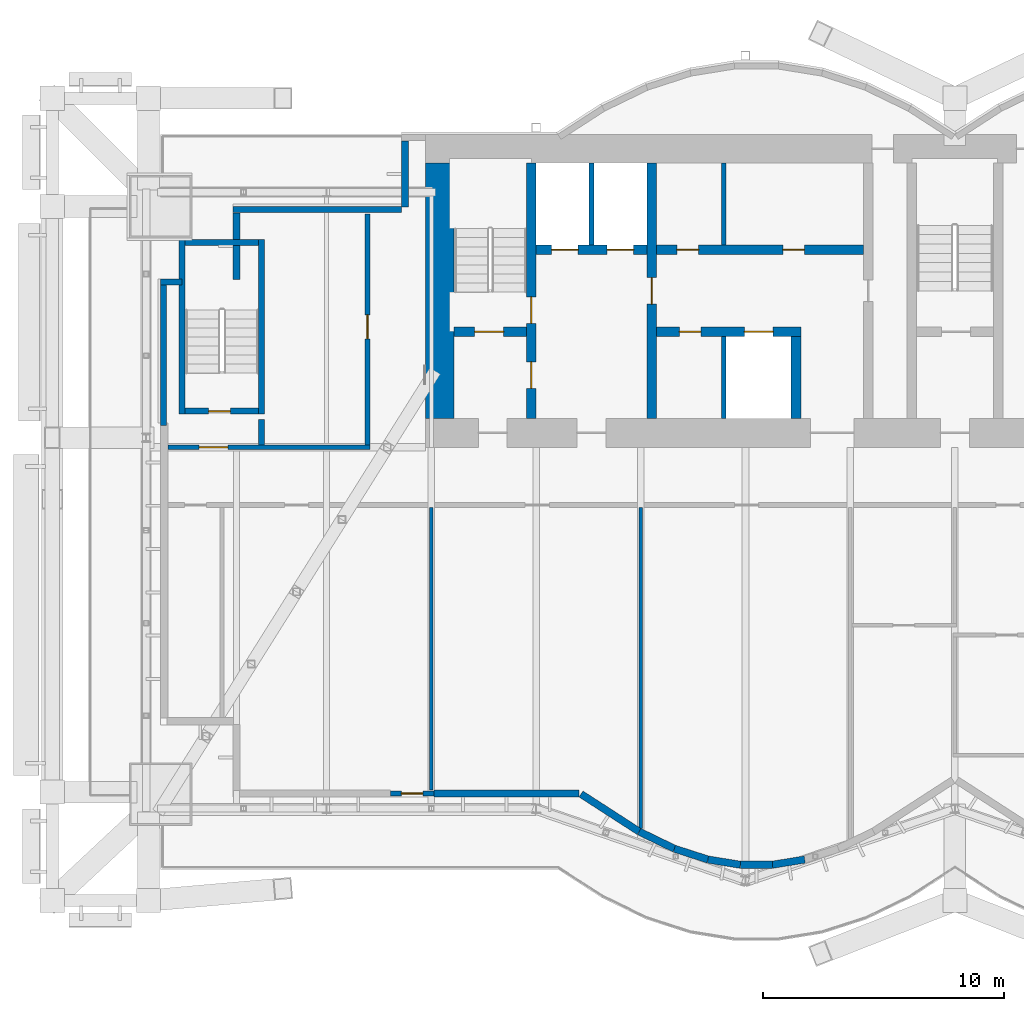
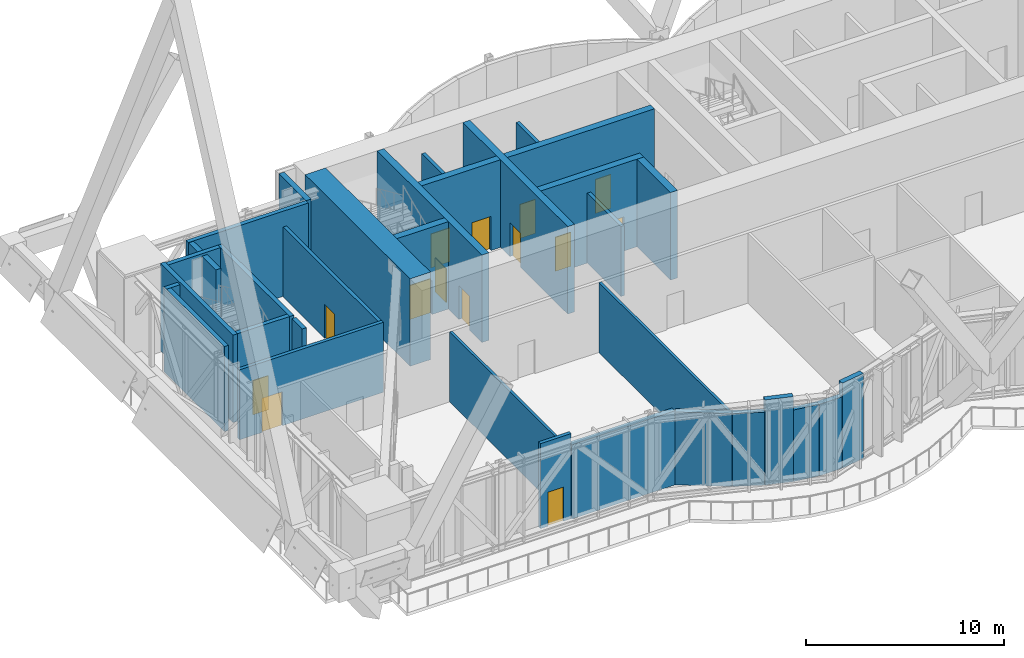
# One storey, part 23 of 31: 32 walls, 14 doors, 14 openings.
"""IFC4 building model written with IfcOpenShell, lengths in metres."""

import ifcopenshell
import ifcopenshell.guid

model = None  # the IFC model being written
_history = None  # IfcOwnerHistory: only IFC2X3 demands one
_inside = {}  # id of a spatial element -> (the spatial element, [elements in it])
_under = {}  # id of a project, library or spatial element -> (it, [spatial elements below it])
_declared = {}  # id of a project -> (the project, [libraries it declares])
_typed = {}  # id of a type object -> (the type object, [elements of that type])
_made_of = {}  # id of a material, layer set ... -> (it, [elements and type objects made of it])


def new_model(schema):
    """Start an empty IFC model of exactly this schema.

    Asked for "IFC4X3", IfcOpenShell would pick the latest addendum, in which some entities
    have other attributes; the version numbers below select the first issue.
    IFC2X3 requires an IfcOwnerHistory on every rooted entity: one is made here for all.
    """
    global model, _history
    if schema == "IFC4X3":
        model = ifcopenshell.file(schema_version=(4, 3, 0, 0))
    else:
        model = ifcopenshell.file(schema=schema)
    _inside.clear()
    _under.clear()
    _declared.clear()
    _typed.clear()
    _made_of.clear()
    _history = None
    if model.schema == "IFC2X3":
        org = make("IfcOrganization", Name="unknown")
        user = make(
            "IfcPersonAndOrganization",
            ThePerson=make("IfcPerson", FamilyName="unknown"),
            TheOrganization=org,
        )
        app = make(
            "IfcApplication",
            ApplicationDeveloper=org,
            Version="unknown",
            ApplicationFullName="unknown",
            ApplicationIdentifier="unknown",
        )
        _history = make(
            "IfcOwnerHistory",
            OwningUser=user,
            OwningApplication=app,
            ChangeAction="ADDED",
            CreationDate=0,
        )
    return model


def make(cls, **values):
    """One entity of the class cls with the attributes given. An attribute that is None is left unset."""
    return model.create_entity(
        cls, **{name: value for name, value in values.items() if value is not None}
    )


def rooted(cls, **values):
    """An entity with a GlobalId (a new one), such as an element, a storey or a relation."""
    return make(cls, GlobalId=ifcopenshell.guid.new(), OwnerHistory=_history, **values)


def si_unit(unit_type, name, prefix=None):
    """IfcSIUnit, for example si_unit("LENGTHUNIT", "METRE", prefix="MILLI")."""
    return make("IfcSIUnit", UnitType=unit_type, Prefix=prefix, Name=name)


def assignment(units):
    """IfcUnitAssignment: the units of a project."""
    return None if units is None else make("IfcUnitAssignment", Units=units)


def point(xyz):
    """IfcCartesianPoint."""
    return None if xyz is None else make("IfcCartesianPoint", Coordinates=xyz)


def direction(xyz):
    """IfcDirection."""
    return None if xyz is None else make("IfcDirection", DirectionRatios=xyz)


def frame(location, z_axis=None, x_axis=None):
    """IfcAxis2Placement3D, a coordinate frame: its origin and axes. An axis left out is left unset."""
    return make(
        "IfcAxis2Placement3D",
        Location=point(location),
        Axis=direction(z_axis),
        RefDirection=direction(x_axis),
    )


def frame_2d(location, x_axis=None):
    """IfcAxis2Placement2D, a coordinate frame in the plane: its origin and x axis."""
    return make(
        "IfcAxis2Placement2D", Location=point(location), RefDirection=direction(x_axis)
    )


def origin():
    """The frame at (0, 0, 0) with its axes left unset."""
    return frame((0.0, 0.0, 0.0))


def place(relative_to, where):
    """IfcLocalPlacement: puts the frame where relative to a parent placement (None: the world)."""
    return make(
        "IfcLocalPlacement", PlacementRelTo=relative_to, RelativePlacement=where
    )


def context(
    kind, dimensions, precision=None, world=None, true_north=None, identifier=None
):
    """IfcGeometricRepresentationContext, for example the 3D "Model" context."""
    return make(
        "IfcGeometricRepresentationContext",
        ContextIdentifier=identifier,
        ContextType=kind,
        CoordinateSpaceDimension=dimensions,
        Precision=precision,
        WorldCoordinateSystem=world,
        TrueNorth=true_north,
    )


def subcontext(parent, identifier, kind, view, scale=None):
    """IfcGeometricRepresentationSubContext, for example "Body" below "Model"."""
    return make(
        "IfcGeometricRepresentationSubContext",
        ContextIdentifier=identifier,
        ContextType=kind,
        ParentContext=parent,
        TargetScale=scale,
        TargetView=view,
    )


def project(units=None, contexts=None):
    """IfcProject with its units and contexts."""
    return rooted(
        "IfcProject",
        Name="project",
        RepresentationContexts=contexts,
        UnitsInContext=assignment(units),
    )


def spatial(cls, under=None, at=None, **own):
    """A site, building, storey or space (cls), placed at a placement, below another one or the project."""
    s = rooted(cls, ObjectPlacement=at, **own)
    if under is not None:
        _under.setdefault(under.id(), (under, []))[1].append(s)
    return s


def profile(cls, at=None, kind="AREA", **sizes):
    """A parametric profile (cls). Its sizes go by their IFC names, for example OverallWidth=200.0."""
    return make(cls, ProfileType=kind, Position=at, **sizes)


def rectangle(**sizes):
    """IfcRectangleProfileDef."""
    return profile("IfcRectangleProfileDef", **sizes)


def extrude(swept, where, along, depth):
    """IfcExtrudedAreaSolid: the profile swept, set in the frame where, extruded along a direction by depth."""
    return make(
        "IfcExtrudedAreaSolid",
        SweptArea=swept,
        Position=where,
        ExtrudedDirection=direction(along),
        Depth=depth,
    )


def shape(context_of_items, identifier, shape_type, items):
    """IfcShapeRepresentation: the items that make up one representation, for example the "Body"."""
    return make(
        "IfcShapeRepresentation",
        ContextOfItems=context_of_items,
        RepresentationIdentifier=identifier,
        RepresentationType=shape_type,
        Items=items,
    )


def material(Name=None, Category=None):
    """IfcMaterial."""
    return make("IfcMaterial", Name=Name, Category=Category)


def layer(
    of_material, thickness, ventilated=None, Name=None, Category=None, Priority=None
):
    """IfcMaterialLayer: one layer of a wall or slab, of a material (None: an air gap)."""
    return make(
        "IfcMaterialLayer",
        Material=of_material,
        LayerThickness=thickness,
        IsVentilated=ventilated,
        Name=Name,
        Category=Category,
        Priority=Priority,
    )


def layer_set(layers, Name=None):
    """IfcMaterialLayerSet."""
    return make("IfcMaterialLayerSet", MaterialLayers=layers, LayerSetName=Name)


def layer_usage(for_layer_set, set_direction, sense, offset, extent=None):
    """IfcMaterialLayerSetUsage: how a layer set lies in its element."""
    return make(
        "IfcMaterialLayerSetUsage",
        ForLayerSet=for_layer_set,
        LayerSetDirection=set_direction,
        DirectionSense=sense,
        OffsetFromReferenceLine=offset,
        ReferenceExtent=extent,
    )


def made_of(thing, what):
    """Note that an element or type object is made of a material, layer set ...; save() writes the relation."""
    if what is not None:
        _made_of.setdefault(what.id(), (what, []))[1].append(thing)
    return thing


def type_object(cls, material=None, **own):
    """A type object (cls), such as IfcWallType, which elements share."""
    return made_of(rooted(cls, **own), material)


def element(
    cls,
    number,
    at=None,
    inside=None,
    cuts=None,
    type_object=None,
    material=None,
    context=None,
    identifier="Body",
    shape_type=None,
    held_by="IfcProductDefinitionShape",
    body=None,
    shapes=None,
    **own,
):
    """One element of the class cls, such as IfcWall. Its Tag is "e" and its number.

    at: its placement. inside: the storey or other place that contains it. cuts: it is an
    opening in that element (IfcRelVoidsElement). A single representation is given by context,
    identifier, shape_type and body (its items); several are given by shapes. held_by: the class
    of the entity that holds the representations. save() writes the other relations.
    """
    e = rooted(cls, Tag="e%d" % number, ObjectPlacement=at, **own)
    if body is not None:
        shapes = [shape(context, identifier, shape_type, body)]
    if shapes is not None:
        e.Representation = make(held_by, Representations=shapes)
    if inside is not None:
        _inside.setdefault(inside.id(), (inside, []))[1].append(e)
    if cuts is not None:
        rooted(
            "IfcRelVoidsElement", RelatingBuildingElement=cuts, RelatedOpeningElement=e
        )
    if type_object is not None:
        _typed.setdefault(type_object.id(), (type_object, []))[1].append(e)
    return made_of(e, material)


def fill(opening, filler):
    """IfcRelFillsElement: the door or window that sits in an opening."""
    return rooted(
        "IfcRelFillsElement",
        RelatingOpeningElement=opening,
        RelatedBuildingElement=filler,
    )


def aggregate(whole, parts):
    """IfcRelAggregates: a whole, such as a stair, and the parts it consists of."""
    return rooted("IfcRelAggregates", RelatingObject=whole, RelatedObjects=parts)


def save(model, path):
    """Write the relations noted so far, then the file.

    IfcRelAggregates (storeys below a building ...), IfcRelContainedInSpatialStructure (elements
    in a storey), IfcRelDefinesByType, IfcRelAssociatesMaterial and IfcRelDeclares: one each for
    every whole, place, type object, material and project.
    """
    for whole, parts in _under.values():
        aggregate(whole, parts)
    for where, things in _inside.values():
        rooted(
            "IfcRelContainedInSpatialStructure",
            RelatedElements=things,
            RelatingStructure=where,
        )
    for kind, things in _typed.values():
        rooted("IfcRelDefinesByType", RelatedObjects=things, RelatingType=kind)
    for what, things in _made_of.values():
        rooted("IfcRelAssociatesMaterial", RelatedObjects=things, RelatingMaterial=what)
    for by, libraries in _declared.values():
        rooted("IfcRelDeclares", RelatingContext=by, RelatedDefinitions=libraries)
    model.write(path)


model = new_model("IFC4")

# Units and contexts
model_context = context("Model", 3, precision=1e-05, world=origin(), true_north=direction((0.0, 1.0)))
body_context = subcontext(model_context, "Body", "Model", "MODEL_VIEW")
ifc_project = project(units=[si_unit("LENGTHUNIT", "METRE"), si_unit("AREAUNIT", "SQUARE_METRE"), si_unit("VOLUMEUNIT", "CUBIC_METRE"), si_unit("PLANEANGLEUNIT", "RADIAN"), si_unit("MASSUNIT", "GRAM", prefix="KILO")], contexts=[model_context])

# Site, building, storey
site_placement = place(None, origin())
site = spatial("IfcSite", under=ifc_project, at=site_placement, CompositionType="ELEMENT")
building_placement = place(site_placement, origin())
building = spatial("IfcBuilding", under=site, at=building_placement, Name="Bicima Exchange Tower", CompositionType="ELEMENT")
storey_placement = place(building_placement, frame((0.0, 0.0, 236.0)))
storey = spatial("IfcBuildingStorey", under=building, at=storey_placement, Name="L53", CompositionType="ELEMENT", Elevation=236.0)

# Wall, opening, door
ifc_material_1 = material(Name="Concrete C40/50", Category="concrete")
ifc_layer_1 = layer(ifc_material_1, 0.2)
ifc_layer_set_1 = layer_set([ifc_layer_1], Name="Concrete C40/50")
ifc_layer_usage_1 = layer_usage(ifc_layer_set_1, "AXIS2", "POSITIVE", -0.1)
wall_type_1 = type_object("IfcWallType", Name="Entrance frame wall 200", PredefinedType="STANDARD", material=ifc_layer_set_1)
wall_1_placement = place(storey_placement, frame((-21.64990234375, -27.382080078125, 0.0), z_axis=(0.0, 0.0, 1.0), x_axis=(-1.0, 0.0, 0.0)))
wall_1 = element("IfcWall", 1, at=wall_1_placement, inside=storey, type_object=wall_type_1, material=ifc_layer_usage_1, Name="Band door frame wall L53", PredefinedType="STANDARD", context=body_context, shape_type="SweptSolid", body=[
    extrude(rectangle(XDim=1.800048828125, YDim=0.199951171875, at=frame_2d((0.89990234375, 0.0))), origin(), (0.0, 0.0, 1.0), 5.25),
])
opening_1_placement = place(wall_1_placement, frame((0.449951171875, 0.0, 0.0)))
opening_1 = element("IfcOpeningElement", 2, at=opening_1_placement, cuts=wall_1, Name="Opening DX5", PredefinedType="OPENING", context=body_context, shape_type="SweptSolid", body=[
    extrude(rectangle(XDim=0.89990234375, YDim=2.10009765625, at=frame_2d((0.449951171875, 1.050048828125))), frame((0.0, 0.11181640625, 0.0), z_axis=(0.0, -1.0, 0.0), x_axis=(1.0, 0.0, 0.0)), (0.0, 0.0, 1.0), 0.223876953125),
])
ifc_material_2 = material(Name="Anodised bronze aluminium and bonded safety glass", Category="aluminium")
door_type_1 = type_object("IfcDoorType", Name="Band terrace door, single leaf 900 x 2100", OperationType="SINGLE_SWING_LEFT", PredefinedType="DOOR", material=ifc_material_2)
door_1_placement = place(opening_1_placement, origin())
door_1 = element("IfcDoor", 3, at=door_1_placement, inside=storey, type_object=door_type_1, Name="Band door door L53", OperationType="SINGLE_SWING_LEFT", OverallHeight=2.10009765625, OverallWidth=0.89990234375, PredefinedType="DOOR", context=body_context, shape_type="SweptSolid", body=[
    extrude(rectangle(XDim=0.89990234375, YDim=2.10009765625, at=frame_2d((0.449951171875, 1.050048828125))), frame((0.0, 0.02490234375, 0.0), z_axis=(0.0, -1.0, 0.0), x_axis=(1.0, 0.0, 0.0)), (0.0, 0.0, 1.0), 0.050048828125),
])
fill(opening_1, door_1)

# Walls
ifc_material_3 = material(Name="Gypsum board partition")
ifc_layer_2 = layer(ifc_material_3, 0.199951171875)
ifc_layer_set_2 = layer_set([ifc_layer_2], Name="Gypsum board partition")
wall_type_2 = type_object("IfcWallType", Name="Fire-rated gypsum partition 200 EI120", PredefinedType="PARTITIONING", material=ifc_layer_set_2)
for number, where, z_axis, x_axis, name in (
    (4, (-15.10009765625, -4.60009765625, 0.0), (0.0, 0.0, 1.0), (0.0, 1.0, 0.0), "partition wall 9"),
    (5, (-9.60009765625, -11.800048828125, 0.0), (0.0, 0.0, 1.0), (0.0, 1.0, 0.0), "partition wall 11"),
):
    element("IfcWall", number, at=place(storey_placement, frame(where, z_axis=z_axis, x_axis=x_axis)), inside=storey, type_object=wall_type_2, Name=name, PredefinedType="PARTITIONING", context=body_context, shape_type="SweptSolid", body=[
        extrude(rectangle(XDim=3.400146484375, YDim=0.199951171875, at=frame_2d((1.7001953125, 0.0))), origin(), (0.0, 0.0, 1.0), 4.318115234375),
    ])

# Wall, opening, door
ifc_layer_3 = layer(ifc_material_3, 0.199951171875)
ifc_layer_set_3 = layer_set([ifc_layer_3], Name="Gypsum board partition")
wall_type_3 = type_object("IfcWallType", Name="Fire-rated gypsum partition 200 EI60", PredefinedType="PARTITIONING", material=ifc_layer_set_3)
wall_2_placement = place(storey_placement, frame((-32.699951171875, -13.0, 0.0), z_axis=(0.0, 0.0, 1.0), x_axis=(1.0, 0.0, 0.0)))
wall_2 = element("IfcWall", 6, at=wall_2_placement, inside=storey, type_object=wall_type_3, Name="partition wall 9", PredefinedType="PARTITIONING", context=body_context, shape_type="SweptSolid", body=[
    extrude(rectangle(XDim=8.39990234375, YDim=0.199951171875, at=frame_2d((4.199951171875, 0.0))), origin(), (0.0, 0.0, 1.0), 4.318115234375),
])
opening_2_placement = place(wall_2_placement, frame((1.300048828125, 0.0, 0.0)))
opening_2 = element("IfcOpeningElement", 7, at=opening_2_placement, cuts=wall_2, Name="Opening L53-001", PredefinedType="OPENING", context=body_context, shape_type="SweptSolid", body=[
    extrude(rectangle(XDim=1.199951171875, YDim=2.10009765625, at=frame_2d((0.60009765625, 1.050048828125))), frame((0.0, 0.11181640625, 0.0), z_axis=(0.0, -1.0, 0.0), x_axis=(1.0, 0.0, 0.0)), (0.0, 0.0, 1.0), 0.223876953125),
])
ifc_material_4 = material(Name="Steel fire door leaf", Category="steel")
door_type_2 = type_object("IfcDoorType", Name="Door 1200 swing FD30S", OperationType="SINGLE_SWING_LEFT", PredefinedType="DOOR", material=ifc_material_4)
door_2_placement = place(opening_2_placement, origin())
door_2 = element("IfcDoor", 8, at=door_2_placement, inside=storey, type_object=door_type_2, Name="Door", OperationType="SINGLE_SWING_LEFT", OverallHeight=2.10009765625, OverallWidth=1.199951171875, PredefinedType="DOOR", context=body_context, shape_type="SweptSolid", body=[
    extrude(rectangle(XDim=1.199951171875, YDim=2.10009765625, at=frame_2d((0.60009765625, 1.050048828125))), frame((0.0, 0.02490234375, 0.0), z_axis=(0.0, -1.0, 0.0), x_axis=(1.0, 0.0, 0.0)), (0.0, 0.0, 1.0), 0.050048828125),
])
fill(opening_2, door_2)

wall_3_placement = place(storey_placement, frame((-24.39990234375, -12.89990234375, 0.0), z_axis=(0.0, 0.0, 1.0), x_axis=(0.0, 1.0, 0.0)))
wall_3 = element("IfcWall", 9, at=wall_3_placement, inside=storey, type_object=wall_type_3, Name="partition wall 18", PredefinedType="PARTITIONING", context=body_context, shape_type="SweptSolid", body=[
    extrude(rectangle(XDim=9.599853515625, YDim=0.199951171875, at=frame_2d((4.7998046875, 0.0))), origin(), (0.0, 0.0, 1.0), 4.318115234375),
])
opening_3_placement = place(wall_3_placement, frame((4.39990234375, 0.0, 0.0)))
opening_3 = element("IfcOpeningElement", 10, at=opening_3_placement, cuts=wall_3, Name="Opening L53-005", PredefinedType="OPENING", context=body_context, shape_type="SweptSolid", body=[
    extrude(rectangle(XDim=1.0, YDim=2.10009765625, at=frame_2d((0.5, 1.050048828125))), frame((0.0, 0.11181640625, 0.0), z_axis=(0.0, -1.0, 0.0), x_axis=(1.0, 0.0, 0.0)), (0.0, 0.0, 1.0), 0.223876953125),
])
door_type_3 = type_object("IfcDoorType", Name="Door 1000 swing FD30S", OperationType="SINGLE_SWING_LEFT", PredefinedType="DOOR", material=ifc_material_4)
door_3_placement = place(opening_3_placement, origin())
door_3 = element("IfcDoor", 11, at=door_3_placement, inside=storey, type_object=door_type_3, Name="Door", OperationType="SINGLE_SWING_LEFT", OverallHeight=2.10009765625, OverallWidth=1.0, PredefinedType="DOOR", context=body_context, shape_type="SweptSolid", body=[
    extrude(rectangle(XDim=1.0, YDim=2.10009765625, at=frame_2d((0.5, 1.050048828125))), frame((0.0, 0.02490234375, 0.0), z_axis=(0.0, -1.0, 0.0), x_axis=(1.0, 0.0, 0.0)), (0.0, 0.0, 1.0), 0.050048828125),
])
fill(opening_3, door_3)

# Walls
wall_4_placement = place(storey_placement, frame((-9.60009765625, -4.60009765625, 0.0), z_axis=(0.0, 0.0, 1.0), x_axis=(0.0, 1.0, 0.0)))
element("IfcWall", 12, at=wall_4_placement, inside=storey, type_object=wall_type_3, Name="partition wall 12", PredefinedType="PARTITIONING", context=body_context, shape_type="SweptSolid", body=[
    extrude(rectangle(XDim=3.400146484375, YDim=0.199951171875, at=frame_2d((1.7001953125, 0.0))), origin(), (0.0, 0.0, 1.0), 4.318115234375),
])
ifc_layer_4 = layer(ifc_material_3, 0.14990234375)
ifc_layer_set_4 = layer_set([ifc_layer_4], Name="Gypsum board partition")
wall_type_4 = type_object("IfcWallType", Name="Gypsum partition 150", PredefinedType="PARTITIONING", material=ifc_layer_set_4)
wall_5_placement = place(storey_placement, frame((-21.75, -27.22998046875, 0.0), z_axis=(0.0, 0.0, 1.0), x_axis=(0.0, 1.0, 0.0)))
element("IfcWall", 13, at=wall_5_placement, inside=storey, type_object=wall_type_4, Name="partition wall 19", PredefinedType="PARTITIONING", context=body_context, shape_type="SweptSolid", body=[
    extrude(rectangle(XDim=11.72998046875, YDim=0.14990234375, at=frame_2d((5.864990234375, 0.0))), origin(), (0.0, 0.0, 1.0), 4.318115234375),
])
wall_6_placement = place(storey_placement, frame((-13.050048828125, -28.830078125, 0.0), z_axis=(0.0, 0.0, 1.0), x_axis=(0.0, 1.0, 0.0)))
element("IfcWall", 14, at=wall_6_placement, inside=storey, type_object=wall_type_4, Name="partition wall 20", PredefinedType="PARTITIONING", context=body_context, shape_type="SweptSolid", body=[
    extrude(rectangle(XDim=13.330078125, YDim=0.14990234375, at=frame_2d((6.6650390625, 0.0))), origin(), (0.0, 0.0, 1.0), 4.318115234375),
])
ifc_material_5 = material(Name="Concrete C50/60", Category="concrete")
ifc_layer_5 = layer(ifc_material_5, 1.199951171875)
ifc_layer_set_5 = layer_set([ifc_layer_5], Name="Concrete C50/60")
wall_type_5 = type_object("IfcWallType", Name="RC core wall 1200 C50/60", PredefinedType="SHEAR", material=ifc_layer_set_5)
wall_7_placement = place(storey_placement, frame((-21.39990234375, -11.800048828125, 0.0), z_axis=(0.0, 0.0, 1.0), x_axis=(0.0, 1.0, 0.0)))
element("IfcWall", 15, at=wall_7_placement, inside=storey, type_object=wall_type_5, Name="Core wall west", PredefinedType="SHEAR", context=body_context, shape_type="SweptSolid", body=[
    extrude(rectangle(XDim=10.60009765625, YDim=1.199951171875, at=frame_2d((5.300048828125, 0.0))), origin(), (0.0, 0.0, 1.0), 5.39990234375),
])
ifc_layer_6 = layer(ifc_material_5, 0.25)
ifc_layer_set_6 = layer_set([ifc_layer_6], Name="Concrete C50/60")
wall_type_6 = type_object("IfcWallType", Name="RC core wall 250 C50/60", PredefinedType="SHEAR", material=ifc_layer_set_6)
wall_8_placement = place(storey_placement, frame((-28.800048828125, -12.89990234375, 0.0), z_axis=(0.0, 0.0, 1.0), x_axis=(0.0, 1.0, 0.0)))
element("IfcWall", 16, at=wall_8_placement, inside=storey, type_object=wall_type_6, Name="stair wall 17", PredefinedType="SHEAR", context=body_context, shape_type="SweptSolid", body=[
    extrude(rectangle(XDim=1.0498046875, YDim=0.25, at=frame_2d((0.52490234375, 0.0))), origin(), (0.0, 0.0, 1.0), 5.39990234375),
])

# Wall, opening, door
ifc_layer_7 = layer(ifc_material_5, 0.39990234375)
ifc_layer_set_7 = layer_set([ifc_layer_7], Name="Concrete C50/60")
wall_type_7 = type_object("IfcWallType", Name="RC core wall 400 C50/60", PredefinedType="SHEAR", material=ifc_layer_set_7)
wall_9_placement = place(storey_placement, frame((-20.800048828125, -8.199951171875, 0.0), z_axis=(0.0, 0.0, 1.0), x_axis=(1.0, 0.0, 0.0)))
wall_9 = element("IfcWall", 17, at=wall_9_placement, inside=storey, type_object=wall_type_7, Name="stair wall 1", PredefinedType="SHEAR", context=body_context, shape_type="SweptSolid", body=[
    extrude(rectangle(XDim=3.0, YDim=0.39990234375, at=frame_2d((1.5, 0.0))), origin(), (0.0, 0.0, 1.0), 5.39990234375),
])
opening_4_placement = place(wall_9_placement, frame((0.85009765625, 0.0, 0.0)))
opening_4 = element("IfcOpeningElement", 18, at=opening_4_placement, cuts=wall_9, Name="Opening L53-C01", PredefinedType="OPENING", context=body_context, shape_type="SweptSolid", body=[
    extrude(rectangle(XDim=1.199951171875, YDim=2.10009765625, at=frame_2d((0.60009765625, 1.050048828125))), frame((0.0, 0.2119140625, 0.0), z_axis=(0.0, -1.0, 0.0), x_axis=(1.0, 0.0, 0.0)), (0.0, 0.0, 1.0), 0.423828125),
])
door_type_4 = type_object("IfcDoorType", Name="Door 1200 swing FD60S", OperationType="SINGLE_SWING_LEFT", PredefinedType="DOOR", material=ifc_material_4)
door_4_placement = place(opening_4_placement, origin())
door_4 = element("IfcDoor", 19, at=door_4_placement, inside=storey, type_object=door_type_4, Name="Core door", OperationType="SINGLE_SWING_LEFT", OverallHeight=2.10009765625, OverallWidth=1.199951171875, PredefinedType="DOOR", context=body_context, shape_type="SweptSolid", body=[
    extrude(rectangle(XDim=1.199951171875, YDim=2.10009765625, at=frame_2d((0.60009765625, 1.050048828125))), frame((0.0, 0.02490234375, 0.0), z_axis=(0.0, -1.0, 0.0), x_axis=(1.0, 0.0, 0.0)), (0.0, 0.0, 1.0), 0.050048828125),
])
fill(opening_4, door_4)

# Wall, openings, doors
wall_10_placement = place(storey_placement, frame((-12.39990234375, -8.199951171875, 0.0), z_axis=(0.0, 0.0, 1.0), x_axis=(1.0, 0.0, 0.0)))
wall_10 = element("IfcWall", 20, at=wall_10_placement, inside=storey, type_object=wall_type_7, Name="shear wall 2", PredefinedType="SHEAR", context=body_context, shape_type="SweptSolid", body=[
    extrude(rectangle(XDim=6.0, YDim=0.39990234375, at=frame_2d((3.0, 0.0))), origin(), (0.0, 0.0, 1.0), 5.39990234375),
])
opening_5_placement = place(wall_10_placement, frame((3.64990234375, 0.0, 0.0)))
opening_5 = element("IfcOpeningElement", 21, at=opening_5_placement, cuts=wall_10, Name="Opening LD-MB1-L53", PredefinedType="OPENING", context=body_context, shape_type="SweptSolid", body=[
    extrude(rectangle(XDim=1.199951171875, YDim=2.10009765625, at=frame_2d((0.60009765625, 1.050048828125))), frame((0.0, 0.2119140625, 0.0), z_axis=(0.0, -1.0, 0.0), x_axis=(1.0, 0.0, 0.0)), (0.0, 0.0, 1.0), 0.423828125),
])
opening_6_placement = place(wall_10_placement, frame((0.949951171875, 0.0, 0.0)))
opening_6 = element("IfcOpeningElement", 22, at=opening_6_placement, cuts=wall_10, Name="Opening L53-C14", PredefinedType="OPENING", context=body_context, shape_type="SweptSolid", body=[
    extrude(rectangle(XDim=0.89990234375, YDim=2.10009765625, at=frame_2d((0.449951171875, 1.050048828125))), frame((0.0, 0.2119140625, 0.0), z_axis=(0.0, -1.0, 0.0), x_axis=(1.0, 0.0, 0.0)), (0.0, 0.0, 1.0), 0.423828125),
])
door_type_5 = type_object("IfcDoorType", Name="Door 900 swing FD30S", OperationType="SINGLE_SWING_LEFT", PredefinedType="DOOR", material=ifc_material_4)
door_5_placement = place(opening_6_placement, frame((0.89990234375, 0.0, 0.0), z_axis=(0.0, 0.0, 1.0), x_axis=(-1.0, 0.0, 0.0)))
door_5 = element("IfcDoor", 23, at=door_5_placement, inside=storey, type_object=door_type_5, Name="Core door", OperationType="SINGLE_SWING_LEFT", OverallHeight=2.10009765625, OverallWidth=0.89990234375, PredefinedType="DOOR", context=body_context, shape_type="SweptSolid", body=[
    extrude(rectangle(XDim=0.89990234375, YDim=2.10009765625, at=frame_2d((0.449951171875, 1.050048828125))), frame((0.0, 0.02490234375, 0.0), z_axis=(0.0, -1.0, 0.0), x_axis=(1.0, 0.0, 0.0)), (0.0, 0.0, 1.0), 0.050048828125),
])
fill(opening_6, door_5)
ifc_material_6 = material(Name="Stainless steel", Category="steel")
door_type_6 = type_object("IfcDoorType", Name="Lift landing door 1200 sliding", OperationType="DOUBLE_DOOR_SLIDING", PredefinedType="DOOR", material=ifc_material_6)
door_6_placement = place(opening_5_placement, origin())
door_6 = element("IfcDoor", 24, at=door_6_placement, inside=storey, type_object=door_type_6, Name="Lift landing door MB1", OperationType="DOUBLE_DOOR_SLIDING", OverallHeight=2.10009765625, OverallWidth=1.199951171875, PredefinedType="DOOR", context=body_context, shape_type="SweptSolid", body=[
    extrude(rectangle(XDim=1.199951171875, YDim=2.10009765625, at=frame_2d((0.60009765625, 1.050048828125))), frame((0.0, 0.02490234375, 0.0), z_axis=(0.0, -1.0, 0.0), x_axis=(1.0, 0.0, 0.0)), (0.0, 0.0, 1.0), 0.050048828125),
])
fill(opening_5, door_6)

wall_11_placement = place(storey_placement, frame((-17.39990234375, -4.800048828125, 0.0), z_axis=(0.0, 0.0, 1.0), x_axis=(1.0, 0.0, 0.0)))
wall_11 = element("IfcWall", 25, at=wall_11_placement, inside=storey, type_object=wall_type_7, Name="shear wall 6", PredefinedType="SHEAR", context=body_context, shape_type="SweptSolid", body=[
    extrude(rectangle(XDim=13.599853515625, YDim=0.39990234375, at=frame_2d((6.7998046875, 0.0))), origin(), (0.0, 0.0, 1.0), 5.39990234375),
])
opening_7_placement = place(wall_11_placement, frame((0.64990234375, 0.0, 0.0)))
opening_7 = element("IfcOpeningElement", 26, at=opening_7_placement, cuts=wall_11, Name="Opening LD-FF1-L53", PredefinedType="OPENING", context=body_context, shape_type="SweptSolid", body=[
    extrude(rectangle(XDim=1.10009765625, YDim=2.10009765625, at=frame_2d((0.550048828125, 1.050048828125))), frame((0.0, 0.2119140625, 0.0), z_axis=(0.0, -1.0, 0.0), x_axis=(1.0, 0.0, 0.0)), (0.0, 0.0, 1.0), 0.423828125),
])
opening_8_placement = place(wall_11_placement, frame((2.949951171875, 0.0, 0.0)))
opening_8 = element("IfcOpeningElement", 27, at=opening_8_placement, cuts=wall_11, Name="Opening LD-FF3-L53", PredefinedType="OPENING", context=body_context, shape_type="SweptSolid", body=[
    extrude(rectangle(XDim=1.10009765625, YDim=2.10009765625, at=frame_2d((0.550048828125, 1.050048828125))), frame((0.0, 0.2119140625, 0.0), z_axis=(0.0, -1.0, 0.0), x_axis=(1.0, 0.0, 0.0)), (0.0, 0.0, 1.0), 0.423828125),
])
opening_9_placement = place(wall_11_placement, frame((5.85009765625, 0.0, 0.0)))
opening_9 = element("IfcOpeningElement", 28, at=opening_9_placement, cuts=wall_11, Name="Opening L53-C12", PredefinedType="OPENING", context=body_context, shape_type="SweptSolid", body=[
    extrude(rectangle(XDim=0.89990234375, YDim=2.10009765625, at=frame_2d((0.449951171875, 1.050048828125))), frame((0.0, 0.2119140625, 0.0), z_axis=(0.0, -1.0, 0.0), x_axis=(1.0, 0.0, 0.0)), (0.0, 0.0, 1.0), 0.423828125),
])
opening_10_placement = place(wall_11_placement, frame((10.25, 0.0, 0.0)))
opening_10 = element("IfcOpeningElement", 29, at=opening_10_placement, cuts=wall_11, Name="Opening L53-C13", PredefinedType="OPENING", context=body_context, shape_type="SweptSolid", body=[
    extrude(rectangle(XDim=0.89990234375, YDim=2.10009765625, at=frame_2d((0.449951171875, 1.050048828125))), frame((0.0, 0.2119140625, 0.0), z_axis=(0.0, -1.0, 0.0), x_axis=(1.0, 0.0, 0.0)), (0.0, 0.0, 1.0), 0.423828125),
])
door_7_placement = place(opening_9_placement, origin())
door_7 = element("IfcDoor", 30, at=door_7_placement, inside=storey, type_object=door_type_5, Name="Core door", OperationType="SINGLE_SWING_RIGHT", OverallHeight=2.10009765625, OverallWidth=0.89990234375, PredefinedType="DOOR", context=body_context, shape_type="SweptSolid", body=[
    extrude(rectangle(XDim=0.89990234375, YDim=2.10009765625, at=frame_2d((0.449951171875, 1.050048828125))), frame((0.0, 0.02490234375, 0.0), z_axis=(0.0, -1.0, 0.0), x_axis=(1.0, 0.0, 0.0)), (0.0, 0.0, 1.0), 0.050048828125),
])
fill(opening_9, door_7)
door_8_placement = place(opening_10_placement, origin())
door_8 = element("IfcDoor", 31, at=door_8_placement, inside=storey, type_object=door_type_5, Name="Core door", OperationType="SINGLE_SWING_LEFT", OverallHeight=2.10009765625, OverallWidth=0.89990234375, PredefinedType="DOOR", context=body_context, shape_type="SweptSolid", body=[
    extrude(rectangle(XDim=0.89990234375, YDim=2.10009765625, at=frame_2d((0.449951171875, 1.050048828125))), frame((0.0, 0.02490234375, 0.0), z_axis=(0.0, -1.0, 0.0), x_axis=(1.0, 0.0, 0.0)), (0.0, 0.0, 1.0), 0.050048828125),
])
fill(opening_10, door_8)
door_type_7 = type_object("IfcDoorType", Name="Lift landing door 1100 sliding", OperationType="DOUBLE_DOOR_SLIDING", PredefinedType="DOOR", material=ifc_material_6)
door_9_placement = place(opening_7_placement, origin())
door_9 = element("IfcDoor", 32, at=door_9_placement, inside=storey, type_object=door_type_7, Name="Lift landing door FF1", OperationType="DOUBLE_DOOR_SLIDING", OverallHeight=2.10009765625, OverallWidth=1.10009765625, PredefinedType="DOOR", context=body_context, shape_type="SweptSolid", body=[
    extrude(rectangle(XDim=1.10009765625, YDim=2.10009765625, at=frame_2d((0.550048828125, 1.050048828125))), frame((0.0, 0.02490234375, 0.0), z_axis=(0.0, -1.0, 0.0), x_axis=(1.0, 0.0, 0.0)), (0.0, 0.0, 1.0), 0.050048828125),
])
fill(opening_7, door_9)
door_10_placement = place(opening_8_placement, origin())
door_10 = element("IfcDoor", 33, at=door_10_placement, inside=storey, type_object=door_type_7, Name="Lift landing door FF3", OperationType="DOUBLE_DOOR_SLIDING", OverallHeight=2.10009765625, OverallWidth=1.10009765625, PredefinedType="DOOR", context=body_context, shape_type="SweptSolid", body=[
    extrude(rectangle(XDim=1.10009765625, YDim=2.10009765625, at=frame_2d((0.550048828125, 1.050048828125))), frame((0.0, 0.02490234375, 0.0), z_axis=(0.0, -1.0, 0.0), x_axis=(1.0, 0.0, 0.0)), (0.0, 0.0, 1.0), 0.050048828125),
])
fill(opening_8, door_10)

wall_12_placement = place(storey_placement, frame((-17.60009765625, -11.800048828125, 0.0), z_axis=(0.0, 0.0, 1.0), x_axis=(0.0, 1.0, 0.0)))
wall_12 = element("IfcWall", 34, at=wall_12_placement, inside=storey, type_object=wall_type_7, Name="stair wall 8", PredefinedType="SHEAR", context=body_context, shape_type="SweptSolid", body=[
    extrude(rectangle(XDim=10.60009765625, YDim=0.39990234375, at=frame_2d((5.300048828125, 0.0))), origin(), (0.0, 0.0, 1.0), 5.39990234375),
])
opening_11_placement = place(wall_12_placement, frame((1.25, 0.0, 0.0)))
opening_11 = element("IfcOpeningElement", 35, at=opening_11_placement, cuts=wall_12, Name="Opening L53-C02", PredefinedType="OPENING", context=body_context, shape_type="SweptSolid", body=[
    extrude(rectangle(XDim=1.10009765625, YDim=2.10009765625, at=frame_2d((0.550048828125, 1.050048828125))), frame((0.0, 0.2119140625, 0.0), z_axis=(0.0, -1.0, 0.0), x_axis=(1.0, 0.0, 0.0)), (0.0, 0.0, 1.0), 0.423828125),
])
opening_12_placement = place(wall_12_placement, frame((3.949951171875, 0.0, 0.0)))
opening_12 = element("IfcOpeningElement", 36, at=opening_12_placement, cuts=wall_12, Name="Opening L53-C06", PredefinedType="OPENING", context=body_context, shape_type="SweptSolid", body=[
    extrude(rectangle(XDim=1.10009765625, YDim=2.10009765625, at=frame_2d((0.550048828125, 1.050048828125))), frame((0.0, 0.2119140625, 0.0), z_axis=(0.0, -1.0, 0.0), x_axis=(1.0, 0.0, 0.0)), (0.0, 0.0, 1.0), 0.423828125),
])
door_type_8 = type_object("IfcDoorType", Name="Door 1100 swing FD60S", OperationType="SINGLE_SWING_LEFT", PredefinedType="DOOR", material=ifc_material_4)
door_11_placement = place(opening_11_placement, frame((1.10009765625, 0.0, 0.0), z_axis=(0.0, 0.0, 1.0), x_axis=(-1.0, 0.0, 0.0)))
door_11 = element("IfcDoor", 37, at=door_11_placement, inside=storey, type_object=door_type_8, Name="Core door", OperationType="SINGLE_SWING_LEFT", OverallHeight=2.10009765625, OverallWidth=1.10009765625, PredefinedType="DOOR", context=body_context, shape_type="SweptSolid", body=[
    extrude(rectangle(XDim=1.10009765625, YDim=2.10009765625, at=frame_2d((0.550048828125, 1.050048828125))), frame((0.0, 0.02490234375, 0.0), z_axis=(0.0, -1.0, 0.0), x_axis=(1.0, 0.0, 0.0)), (0.0, 0.0, 1.0), 0.050048828125),
])
fill(opening_11, door_11)
door_12_placement = place(opening_12_placement, frame((1.10009765625, 0.0, 0.0), z_axis=(0.0, 0.0, 1.0), x_axis=(-1.0, 0.0, 0.0)))
door_12 = element("IfcDoor", 38, at=door_12_placement, inside=storey, type_object=door_type_8, Name="Core door", OperationType="SINGLE_SWING_LEFT", OverallHeight=2.10009765625, OverallWidth=1.10009765625, PredefinedType="DOOR", context=body_context, shape_type="SweptSolid", body=[
    extrude(rectangle(XDim=1.10009765625, YDim=2.10009765625, at=frame_2d((0.550048828125, 1.050048828125))), frame((0.0, 0.02490234375, 0.0), z_axis=(0.0, -1.0, 0.0), x_axis=(1.0, 0.0, 0.0)), (0.0, 0.0, 1.0), 0.050048828125),
])
fill(opening_12, door_12)

# Wall, opening, door
wall_13_placement = place(storey_placement, frame((-12.60009765625, -11.800048828125, 0.0), z_axis=(0.0, 0.0, 1.0), x_axis=(0.0, 1.0, 0.0)))
wall_13 = element("IfcWall", 39, at=wall_13_placement, inside=storey, type_object=wall_type_7, Name="shear wall 10", PredefinedType="SHEAR", context=body_context, shape_type="SweptSolid", body=[
    extrude(rectangle(XDim=10.60009765625, YDim=0.39990234375, at=frame_2d((5.300048828125, 0.0))), origin(), (0.0, 0.0, 1.0), 5.39990234375),
])
opening_13_placement = place(wall_13_placement, frame((4.75, 0.0, 0.0)))
opening_13 = element("IfcOpeningElement", 40, at=opening_13_placement, cuts=wall_13, Name="Opening L53-C07", PredefinedType="OPENING", context=body_context, shape_type="SweptSolid", body=[
    extrude(rectangle(XDim=1.10009765625, YDim=2.10009765625, at=frame_2d((0.550048828125, 1.050048828125))), frame((0.0, 0.2119140625, 0.0), z_axis=(0.0, -1.0, 0.0), x_axis=(1.0, 0.0, 0.0)), (0.0, 0.0, 1.0), 0.423828125),
])
door_13_placement = place(opening_13_placement, origin())
door_13 = element("IfcDoor", 41, at=door_13_placement, inside=storey, type_object=door_type_8, Name="Core door", OperationType="SINGLE_SWING_LEFT", OverallHeight=2.10009765625, OverallWidth=1.10009765625, PredefinedType="DOOR", context=body_context, shape_type="SweptSolid", body=[
    extrude(rectangle(XDim=1.10009765625, YDim=2.10009765625, at=frame_2d((0.550048828125, 1.050048828125))), frame((0.0, 0.02490234375, 0.0), z_axis=(0.0, -1.0, 0.0), x_axis=(1.0, 0.0, 0.0)), (0.0, 0.0, 1.0), 0.050048828125),
])
fill(opening_13, door_13)

# Walls
wall_14_placement = place(storey_placement, frame((-6.60009765625, -11.800048828125, 0.0), z_axis=(0.0, 0.0, 1.0), x_axis=(0.0, 1.0, 0.0)))
element("IfcWall", 42, at=wall_14_placement, inside=storey, type_object=wall_type_7, Name="shear wall 13", PredefinedType="SHEAR", context=body_context, shape_type="SweptSolid", body=[
    extrude(rectangle(XDim=3.400146484375, YDim=0.39990234375, at=frame_2d((1.7001953125, 0.0))), origin(), (0.0, 0.0, 1.0), 5.39990234375),
])
ifc_layer_8 = layer(ifc_material_5, 0.25)
ifc_layer_set_8 = layer_set([ifc_layer_8], Name="Concrete C50/60")
wall_type_8 = type_object("IfcWallType", Name="RC stair enclosure wall 250 C50/60", PredefinedType="SHEAR", material=ifc_layer_set_8)
wall_15_placement = place(storey_placement, frame((-32.10009765625, -11.625, 0.0), z_axis=(0.0, 0.0, 1.0), x_axis=(0.0, 1.0, 0.0)))
element("IfcWall", 43, at=wall_15_placement, inside=storey, type_object=wall_type_8, Name="West end exit stair wall W", PredefinedType="SHEAR", context=body_context, shape_type="SweptSolid", body=[
    extrude(rectangle(XDim=7.324951171875, YDim=0.25, at=frame_2d((3.66259765625, 0.0))), origin(), (0.0, 0.0, 1.0), 5.39990234375),
])
wall_16_placement = place(storey_placement, frame((-28.800048828125, -11.625, 0.0), z_axis=(0.0, 0.0, 1.0), x_axis=(0.0, 1.0, 0.0)))
element("IfcWall", 44, at=wall_16_placement, inside=storey, type_object=wall_type_8, Name="West end exit stair wall E", PredefinedType="SHEAR", context=body_context, shape_type="SweptSolid", body=[
    extrude(rectangle(XDim=7.25, YDim=0.25, at=frame_2d((3.625, 0.0))), origin(), (0.0, 0.0, 1.0), 5.39990234375),
])

# Wall, opening, door
wall_17_placement = place(storey_placement, frame((-31.97509765625, -11.5, 0.0), z_axis=(0.0, 0.0, 1.0), x_axis=(1.0, 0.0, 0.0)))
wall_17 = element("IfcWall", 45, at=wall_17_placement, inside=storey, type_object=wall_type_8, Name="West end exit stair wall S", PredefinedType="SHEAR", context=body_context, shape_type="SweptSolid", body=[
    extrude(rectangle(XDim=3.050048828125, YDim=0.25, at=frame_2d((1.52490234375, 0.0))), origin(), (0.0, 0.0, 1.0), 5.39990234375),
])
opening_14_placement = place(wall_17_placement, frame((0.97509765625, 0.0, 0.0)))
opening_14 = element("IfcOpeningElement", 46, at=opening_14_placement, cuts=wall_17, Name="Opening L53-002", PredefinedType="OPENING", context=body_context, shape_type="SweptSolid", body=[
    extrude(rectangle(XDim=0.89990234375, YDim=2.10009765625, at=frame_2d((0.449951171875, 1.050048828125))), frame((0.0, 0.136962890625, 0.0), z_axis=(0.0, -1.0, 0.0), x_axis=(1.0, 0.0, 0.0)), (0.0, 0.0, 1.0), 0.27392578125),
])
door_type_9 = type_object("IfcDoorType", Name="Door 900 swing FD60S", OperationType="SINGLE_SWING_LEFT", PredefinedType="DOOR", material=ifc_material_4)
door_14_placement = place(opening_14_placement, origin())
door_14 = element("IfcDoor", 47, at=door_14_placement, inside=storey, type_object=door_type_9, Name="Door", OperationType="SINGLE_SWING_LEFT", OverallHeight=2.10009765625, OverallWidth=0.89990234375, PredefinedType="DOOR", context=body_context, shape_type="SweptSolid", body=[
    extrude(rectangle(XDim=0.89990234375, YDim=2.10009765625, at=frame_2d((0.449951171875, 1.050048828125))), frame((0.0, 0.02490234375, 0.0), z_axis=(0.0, -1.0, 0.0), x_axis=(1.0, 0.0, 0.0)), (0.0, 0.0, 1.0), 0.050048828125),
])
fill(opening_14, door_14)

# Walls
wall_18_placement = place(storey_placement, frame((-31.97509765625, -4.5, 0.0), z_axis=(0.0, 0.0, 1.0), x_axis=(1.0, 0.0, 0.0)))
element("IfcWall", 48, at=wall_18_placement, inside=storey, type_object=wall_type_8, Name="West end exit stair wall N", PredefinedType="SHEAR", context=body_context, shape_type="SweptSolid", body=[
    extrude(rectangle(XDim=3.050048828125, YDim=0.25, at=frame_2d((1.52490234375, 0.0))), origin(), (0.0, 0.0, 1.0), 5.39990234375),
])
ifc_layer_9 = layer(ifc_material_1, 0.25)
ifc_layer_set_9 = layer_set([ifc_layer_9], Name="Concrete C40/50")
ifc_layer_usage_2 = layer_usage(ifc_layer_set_9, "AXIS2", "POSITIVE", -0.125)
wall_type_9 = type_object("IfcWallType", Name="Rear backup wall 250", PredefinedType="STANDARD", material=ifc_layer_set_9)
wall_19_placement = place(storey_placement, frame((-23.0, -3.125, 0.0), z_axis=(0.0, 0.0, 1.0), x_axis=(-1.0, 0.0, 0.0)))
element("IfcWall", 49, at=wall_19_placement, inside=storey, type_object=wall_type_9, material=ifc_layer_usage_2, Name="Rear backup wall L53 28", PredefinedType="STANDARD", context=body_context, shape_type="SweptSolid", body=[
    extrude(rectangle(XDim=7.0, YDim=0.25, at=frame_2d((3.5, 0.0))), origin(), (0.0, 0.0, 1.0), 5.25),
])
wall_20_placement = place(storey_placement, frame((-32.110107421875, -6.125, 0.0), z_axis=(0.0, 0.0, 1.0), x_axis=(-1.0, 0.0, 0.0)))
element("IfcWall", 50, at=wall_20_placement, inside=storey, type_object=wall_type_9, material=ifc_layer_usage_2, Name="Rear backup wall L53 30", PredefinedType="STANDARD", context=body_context, shape_type="SweptSolid", body=[
    extrude(rectangle(XDim=0.889892578125, YDim=0.25, at=frame_2d((0.44482421875, 0.0))), origin(), (0.0, 0.0, 1.0), 5.25),
])
wall_21_placement = place(storey_placement, frame((-32.875, -6.0, 0.0), z_axis=(0.0, 0.0, 1.0), x_axis=(0.0, -1.0, 0.0)))
element("IfcWall", 51, at=wall_21_placement, inside=storey, type_object=wall_type_9, material=ifc_layer_usage_2, Name="Rear backup wall L53 31", PredefinedType="STANDARD", context=body_context, shape_type="SweptSolid", body=[
    extrude(rectangle(XDim=6.090087890625, YDim=0.25, at=frame_2d((3.044921875, 0.0))), origin(), (0.0, 0.0, 1.0), 5.25),
])
ifc_layer_10 = layer(ifc_material_1, 0.3)
ifc_layer_set_10 = layer_set([ifc_layer_10], Name="Concrete C40/50")
ifc_layer_usage_3 = layer_usage(ifc_layer_set_10, "AXIS2", "POSITIVE", -0.15)
wall_type_10 = type_object("IfcWallType", Name="Refuge band wall 300", PredefinedType="STANDARD", material=ifc_layer_set_10)
for number, where, z_axis, x_axis, name in (
    (52, (-22.85009765625, -0.27587890625, 0.0), (0.0, 0.0, 1.0), (0.0, -1.0, 0.0), "Refuge band wall L53"),
    (53, (-29.85009765625, -3.27587890625, 0.0), (0.0, 0.0, 1.0), (0.0, -1.0, 0.0), "Refuge band wall L53"),
):
    element("IfcWall", number, at=place(storey_placement, frame(where, z_axis=z_axis, x_axis=x_axis)), inside=storey, type_object=wall_type_10, material=ifc_layer_usage_3, Name=name, PredefinedType="STANDARD", context=body_context, shape_type="SweptSolid", body=[
        extrude(rectangle(XDim=2.748291015625, YDim=0.300048828125, at=frame_2d((1.3740234375, 0.0))), origin(), (0.0, 0.0, 1.0), 5.25),
    ])
wall_22_placement = place(storey_placement, frame((-21.64990234375, -27.382080078125, 0.0), z_axis=(0.0, 0.0, 1.0), x_axis=(1.0, 0.0, 0.0)))
element("IfcWall", 54, at=wall_22_placement, inside=storey, type_object=wall_type_10, material=ifc_layer_usage_3, Name="Refuge band wall L53", PredefinedType="STANDARD", context=body_context, shape_type="SweptSolid", body=[
    extrude(rectangle(XDim=6.03515625, YDim=0.300048828125, at=frame_2d((3.017578125, 0.0))), origin(), (0.0, 0.0, 1.0), 4.57177734375),
])
wall_23_placement = place(storey_placement, frame((-15.533203125, -27.406005859375, 0.0), z_axis=(0.0, 0.0, 1.0), x_axis=(0.839779682339, -0.542927329512, 0.0)))
element("IfcWall", 55, at=wall_23_placement, inside=storey, type_object=wall_type_10, material=ifc_layer_usage_3, Name="Refuge band wall L53", PredefinedType="STANDARD", context=body_context, shape_type="SweptSolid", body=[
    extrude(rectangle(XDim=2.875244140625, YDim=0.300048828125, at=frame_2d((1.4375, 0.0))), origin(), (0.0, 0.0, 1.0), 4.49560546875),
])
wall_24_placement = place(storey_placement, frame((-13.11865234375, -28.967041015625, 0.0), z_axis=(0.0, 0.0, 1.0), x_axis=(0.899798026589, -0.436306671214, 0.0)))
element("IfcWall", 56, at=wall_24_placement, inside=storey, type_object=wall_type_10, material=ifc_layer_usage_3, Name="Refuge band wall L53", PredefinedType="STANDARD", context=body_context, shape_type="SweptSolid", body=[
    extrude(rectangle(XDim=1.62548828125, YDim=0.300048828125, at=frame_2d((0.812744140625, 0.0))), origin(), (0.0, 0.0, 1.0), 4.49560546875),
])
wall_25_placement = place(storey_placement, frame((-11.656005859375, -29.67626953125, 0.0), z_axis=(0.0, 0.0, 1.0), x_axis=(0.951539081691, -0.307527845919, 0.0)))
element("IfcWall", 57, at=wall_25_placement, inside=storey, type_object=wall_type_10, material=ifc_layer_usage_3, Name="Refuge band wall L53", PredefinedType="STANDARD", context=body_context, shape_type="SweptSolid", body=[
    extrude(rectangle(XDim=1.467041015625, YDim=0.300048828125, at=frame_2d((0.7333984375, 0.0))), origin(), (0.0, 0.0, 1.0), 5.25),
])
wall_26_placement = place(storey_placement, frame((-10.260009765625, -30.12744140625, 0.0), z_axis=(0.0, 0.0, 1.0), x_axis=(0.987194777017, -0.15951950423, 0.0)))
element("IfcWall", 58, at=wall_26_placement, inside=storey, type_object=wall_type_10, material=ifc_layer_usage_3, Name="Refuge band wall L53", PredefinedType="STANDARD", context=body_context, shape_type="SweptSolid", body=[
    extrude(rectangle(XDim=1.36376953125, YDim=0.300048828125, at=frame_2d((0.681884765625, 0.0))), origin(), (0.0, 0.0, 1.0), 4.414306640625),
])
wall_27_placement = place(storey_placement, frame((-8.913818359375, -30.344970703125, 0.0), z_axis=(0.0, 0.0, 1.0), x_axis=(1.0, 0.0, 0.0)))
element("IfcWall", 59, at=wall_27_placement, inside=storey, type_object=wall_type_10, material=ifc_layer_usage_3, Name="Refuge band wall L53", PredefinedType="STANDARD", context=body_context, shape_type="SweptSolid", body=[
    extrude(rectangle(XDim=1.32763671875, YDim=0.300048828125, at=frame_2d((0.663818359375, 0.0))), origin(), (0.0, 0.0, 1.0), 4.414306640625),
])
wall_28_placement = place(storey_placement, frame((-7.586181640625, -30.344970703125, 0.0), z_axis=(0.0, 0.0, 1.0), x_axis=(0.987194777017, 0.15951950423, 0.0)))
element("IfcWall", 60, at=wall_28_placement, inside=storey, type_object=wall_type_10, material=ifc_layer_usage_3, Name="Refuge band wall L53", PredefinedType="STANDARD", context=body_context, shape_type="SweptSolid", body=[
    extrude(rectangle(XDim=1.36376953125, YDim=0.300048828125, at=frame_2d((0.681884765625, 0.0))), origin(), (0.0, 0.0, 1.0), 5.25),
])

save(model, "model.ifc")
